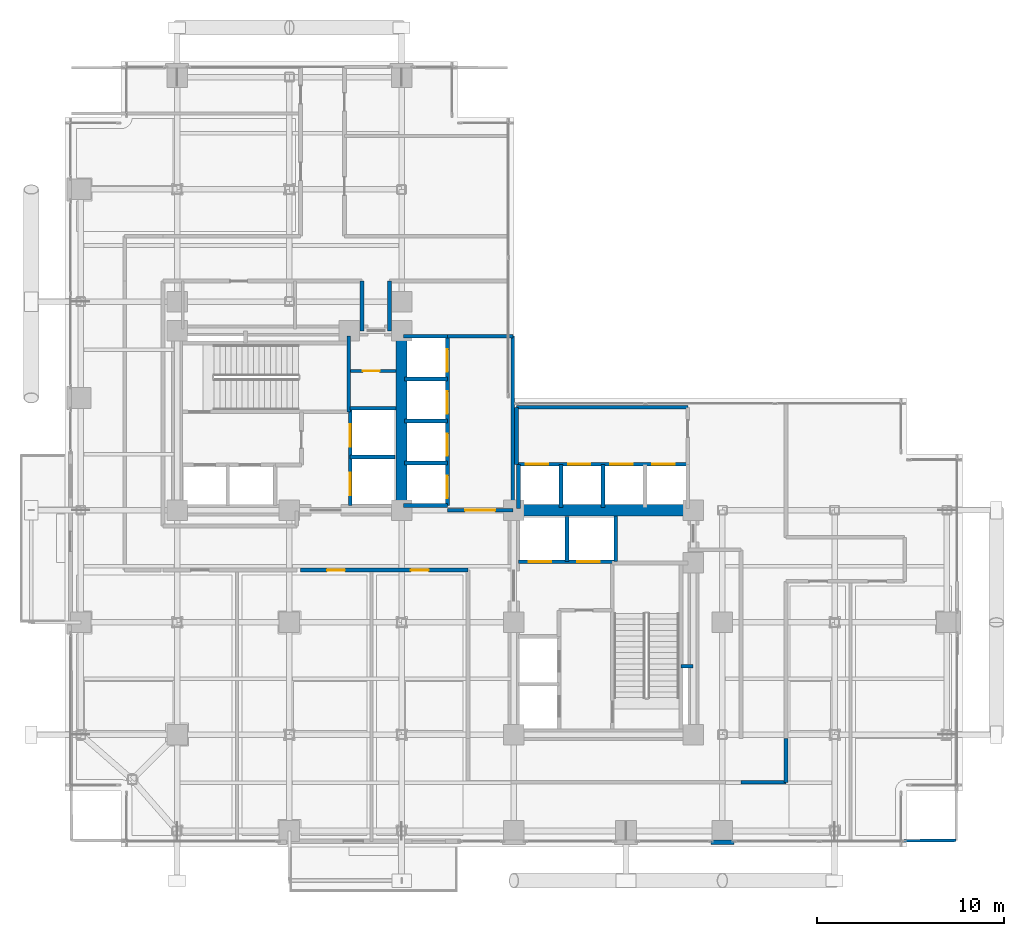
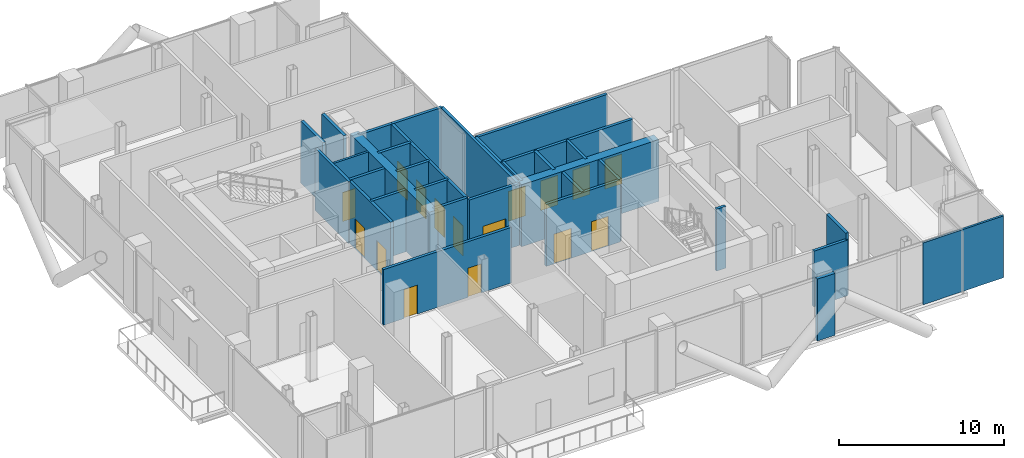
# One storey, part 19 of 25: 33 walls, 16 doors, 16 openings.
"""IFC4 building model written with IfcOpenShell, lengths in metres."""

from ifc_helpers import new_model, si_unit, direction, frame, frame_2d, origin, place, context, subcontext, project, spatial, rectangle, extrude, material, layer, layer_set, type_object, element, fill, save


model = new_model("IFC4")

# Units and contexts
model_context = context("Model", 3, precision=1e-05, world=origin(), true_north=direction((0.0, 1.0)))
body_context = subcontext(model_context, "Body", "Model", "MODEL_VIEW")
ifc_project = project(units=[si_unit("LENGTHUNIT", "METRE"), si_unit("AREAUNIT", "SQUARE_METRE"), si_unit("VOLUMEUNIT", "CUBIC_METRE"), si_unit("PLANEANGLEUNIT", "RADIAN"), si_unit("MASSUNIT", "GRAM", prefix="KILO"), si_unit("THERMODYNAMICTEMPERATUREUNIT", "KELVIN"), si_unit("POWERUNIT", "WATT")], contexts=[model_context])

# Site, building, storey
site_placement = place(None, origin())
site = spatial("IfcSite", under=ifc_project, at=site_placement, CompositionType="ELEMENT")
building_placement = place(site_placement, origin())
building = spatial("IfcBuilding", under=site, at=building_placement, Name="Svarakhadi Broadcast Tower", CompositionType="ELEMENT")
storey_placement = place(building_placement, frame((0.0, 0.0, 110.85009765625)))
storey = spatial("IfcBuildingStorey", under=building, at=storey_placement, Name="L26", CompositionType="ELEMENT", Elevation=110.85009765625)

# Walls
ifc_material_1 = material(Name="Double-Stud Acoustic Studio Partition STC-62", Category="gypsum")
ifc_layer_1 = layer(ifc_material_1, 0.199951171875)
ifc_layer_set_1 = layer_set([ifc_layer_1], Name="Double-Stud Acoustic Studio Partition STC-62")
wall_type_1 = type_object("IfcWallType", Name="Wall_Acoust_200", PredefinedType="PARTITIONING", material=ifc_layer_set_1)
wall_1_placement = place(storey_placement, frame((38.550048828125, 5.800048828125, 0.0), z_axis=(0.0, 0.0, 1.0), x_axis=(0.0, -1.0, 0.0)))
element("IfcWall", 1, at=wall_1_placement, inside=storey, type_object=wall_type_1, Name="L26 Broadcast Corridor Wall", PredefinedType="PARTITIONING", context=body_context, shape_type="SweptSolid", body=[
    extrude(rectangle(XDim=2.35009765625, YDim=0.199951171875, at=frame_2d((1.175048828125, 0.0))), origin(), (0.0, 0.0, 1.0), 4.574951171875),
])
wall_2_placement = place(storey_placement, frame((38.550048828125, 3.449951171875, 0.0), z_axis=(0.0, 0.0, 1.0), x_axis=(-1.0, 0.0, 0.0)))
element("IfcWall", 2, at=wall_2_placement, inside=storey, type_object=wall_type_1, Name="L26 Broadcast Corridor Wall", PredefinedType="PARTITIONING", context=body_context, shape_type="SweptSolid", body=[
    extrude(rectangle(XDim=2.400146484375, YDim=0.199951171875, at=frame_2d((1.2001953125, 0.0))), origin(), (0.0, 0.0, 1.0), 4.116943359375),
])

# Wall, openings, doors
wall_3_placement = place(storey_placement, frame((21.550048828125, 14.800048828125, 0.0), z_axis=(0.0, 0.0, 1.0), x_axis=(-1.0, 0.0, 0.0)))
wall_3 = element("IfcWall", 3, at=wall_3_placement, inside=storey, type_object=wall_type_1, Name="L26 Broadcast Corridor Wall", PredefinedType="PARTITIONING", context=body_context, shape_type="SweptSolid", body=[
    extrude(rectangle(XDim=8.949951171875, YDim=0.199951171875, at=frame_2d((4.47509765625, 0.0))), origin(), (0.0, 0.0, 1.0), 4.116943359375),
])
opening_1_placement = place(wall_3_placement, frame((6.574951171875, 0.0, 0.0)))
opening_1 = element("IfcOpeningElement", 4, at=opening_1_placement, cuts=wall_3, Name="Opening D-06", PredefinedType="OPENING", context=body_context, shape_type="SweptSolid", body=[
    extrude(rectangle(XDim=0.949951171875, YDim=2.14990234375, at=frame_2d((0.47509765625, 1.074951171875))), frame((0.0, 0.10986328125, 0.0), z_axis=(0.0, -1.0, 0.0), x_axis=(1.0, 0.0, 0.0)), (0.0, 0.0, 1.0), 0.219970703125),
])
opening_2_placement = place(wall_3_placement, frame((2.10009765625, 0.0, 0.0)))
opening_2 = element("IfcOpeningElement", 5, at=opening_2_placement, cuts=wall_3, Name="Opening D-07", PredefinedType="OPENING", context=body_context, shape_type="SweptSolid", body=[
    extrude(rectangle(XDim=0.949951171875, YDim=2.14990234375, at=frame_2d((0.47509765625, 1.074951171875))), frame((0.0, 0.10986328125, 0.0), z_axis=(0.0, -1.0, 0.0), x_axis=(1.0, 0.0, 0.0)), (0.0, 0.0, 1.0), 0.219970703125),
])
ifc_material_2 = material(Name="Solid-Core Teak Veneer Acoustic Timber Leaf", Category="wood")
door_type_1 = type_object("IfcDoorType", Name="Door_Office_D06", OperationType="SINGLE_SWING_LEFT", PredefinedType="DOOR", material=ifc_material_2)
door_1_placement = place(opening_1_placement, origin())
door_1 = element("IfcDoor", 6, at=door_1_placement, inside=storey, type_object=door_type_1, Name="L26 L26 Sky-Bridge Espresso and Dining Bar Door", OperationType="SINGLE_SWING_LEFT", OverallHeight=2.14990234375, OverallWidth=0.949951171875, PredefinedType="DOOR", context=body_context, shape_type="SweptSolid", body=[
    extrude(rectangle(XDim=0.949951171875, YDim=2.14990234375, at=frame_2d((0.47509765625, 1.074951171875))), frame((0.0, 0.02490234375, 0.0), z_axis=(0.0, -1.0, 0.0), x_axis=(1.0, 0.0, 0.0)), (0.0, 0.0, 1.0), 0.050048828125),
])
fill(opening_1, door_1)
door_type_2 = type_object("IfcDoorType", Name="Door_Office_D07", OperationType="SINGLE_SWING_RIGHT", PredefinedType="DOOR", material=ifc_material_2)
door_2_placement = place(opening_2_placement, origin())
door_2 = element("IfcDoor", 7, at=door_2_placement, inside=storey, type_object=door_type_2, Name="L26 L26 Transfer Security Office Door", OperationType="SINGLE_SWING_RIGHT", OverallHeight=2.14990234375, OverallWidth=0.949951171875, PredefinedType="DOOR", context=body_context, shape_type="SweptSolid", body=[
    extrude(rectangle(XDim=0.949951171875, YDim=2.14990234375, at=frame_2d((0.47509765625, 1.074951171875))), frame((0.0, 0.02490234375, 0.0), z_axis=(0.0, -1.0, 0.0), x_axis=(1.0, 0.0, 0.0)), (0.0, 0.0, 1.0), 0.050048828125),
])
fill(opening_2, door_2)

# Walls
for number, where, z_axis, x_axis, name in (
    (8, (17.35009765625, 30.25, 0.0), (0.0, 0.0, 1.0), (0.0, -1.0, 0.0), "L26 Broadcast Corridor Wall"),
    (9, (15.8798828125, 27.580078125, 0.0), (0.0, 0.0, 1.0), (0.0, 1.0, 0.0), "L26 Broadcast Corridor Wall"),
):
    element("IfcWall", number, at=place(storey_placement, frame(where, z_axis=z_axis, x_axis=x_axis)), inside=storey, type_object=wall_type_1, Name=name, PredefinedType="PARTITIONING", context=body_context, shape_type="SweptSolid", body=[
        extrude(rectangle(XDim=2.669921875, YDim=0.199951171875, at=frame_2d((1.3349609375, 0.0))), origin(), (0.0, 0.0, 1.0), 4.574951171875),
    ])
ifc_material_3 = material(Name="Concrete C40/50 (IS 456 M50)", Category="concrete")
ifc_layer_2 = layer(ifc_material_3, 0.239990234375)
ifc_layer_set_2 = layer_set([ifc_layer_2], Name="Concrete C40/50 (IS 456 M50)")
wall_type_2 = type_object("IfcWallType", Name="Wall_Ext_240", PredefinedType="SOLIDWALL", material=ifc_layer_set_2)
wall_4_placement = place(storey_placement, frame((35.764892578125, 0.239990234375, 0.0), z_axis=(0.0, 0.0, 1.0), x_axis=(-1.0, 0.0, 0.0)))
element("IfcWall", 10, at=wall_4_placement, inside=storey, type_object=wall_type_2, Name="L26 Perimeter Bronze Spandrel Closure Wall 07", PredefinedType="SOLIDWALL", context=body_context, shape_type="SweptSolid", body=[
    extrude(rectangle(XDim=1.22998046875, YDim=0.239990234375, at=frame_2d((0.614990234375, 0.0))), origin(), (0.0, 0.0, 1.0), 4.574951171875),
])
ifc_layer_3 = layer(ifc_material_3, 0.199951171875)
ifc_layer_set_3 = layer_set([ifc_layer_3], Name="Concrete C40/50 (IS 456 M50)")
wall_type_3 = type_object("IfcWallType", Name="Wall_Fire_200", PredefinedType="SOLIDWALL", material=ifc_layer_set_3)
wall_5_placement = place(storey_placement, frame((32.93994140625, 9.659912109375, 0.0), z_axis=(0.0, 0.0, 1.0), x_axis=(1.0, 0.0, 0.0)))
element("IfcWall", 11, at=wall_5_placement, inside=storey, type_object=wall_type_3, Name="L26 HV Busduct Riser Shaft North Wall", PredefinedType="SOLIDWALL", context=body_context, shape_type="SweptSolid", body=[
    extrude(rectangle(XDim=0.64013671875, YDim=0.199951171875, at=frame_2d((0.320068359375, 0.0))), origin(), (0.0, 0.0, 1.0), 4.574951171875),
])

# Wall, opening, door
ifc_material_4 = material(Name="Autoclaved Aerated Concrete Blockwork 150 mm", Category="masonry")
ifc_layer_4 = layer(ifc_material_4, 0.14990234375)
ifc_layer_set_4 = layer_set([ifc_layer_4], Name="Autoclaved Aerated Concrete Blockwork 150 mm")
wall_type_4 = type_object("IfcWallType", Name="Wall_Part_150", PredefinedType="PARTITIONING", material=ifc_layer_set_4)
wall_6_placement = place(storey_placement, frame((15.280029296875, 25.43994140625, 0.0), z_axis=(0.0, 0.0, 1.0), x_axis=(1.0, 0.0, 0.0)))
wall_6 = element("IfcWall", 12, at=wall_6_placement, inside=storey, type_object=wall_type_4, Name="L26 West Core Service Split Wall", PredefinedType="PARTITIONING", context=body_context, shape_type="SweptSolid", body=[
    extrude(rectangle(XDim=2.419921875, YDim=0.14990234375, at=frame_2d((1.2099609375, 0.0))), origin(), (0.0, 0.0, 1.0), 4.574951171875),
])
opening_3_placement = place(wall_6_placement, frame((0.64990234375, 0.0, 0.0)))
opening_3 = element("IfcOpeningElement", 13, at=opening_3_placement, cuts=wall_6, Name="Opening D-04", PredefinedType="OPENING", context=body_context, shape_type="SweptSolid", body=[
    extrude(rectangle(XDim=0.89990234375, YDim=2.14990234375, at=frame_2d((0.449951171875, 1.074951171875))), frame((0.0, 0.0849609375, 0.0), z_axis=(0.0, -1.0, 0.0), x_axis=(1.0, 0.0, 0.0)), (0.0, 0.0, 1.0), 0.169921875),
])
ifc_material_5 = material(Name="Galvanised Powder-Coated Fire-Rated Steel Leaf", Category="steel")
door_type_3 = type_object("IfcDoorType", Name="Door_Fire_D04", OperationType="SINGLE_SWING_RIGHT", PredefinedType="DOOR", material=ifc_material_5)
door_3_placement = place(opening_3_placement, origin())
door_3 = element("IfcDoor", 14, at=door_3_placement, inside=storey, type_object=door_type_3, Name="L26 West Core Inner Store Door", OperationType="SINGLE_SWING_RIGHT", OverallHeight=2.14990234375, OverallWidth=0.89990234375, PredefinedType="DOOR", context=body_context, shape_type="SweptSolid", body=[
    extrude(rectangle(XDim=0.89990234375, YDim=2.14990234375, at=frame_2d((0.449951171875, 1.074951171875))), frame((0.0, 0.02490234375, 0.0), z_axis=(0.0, -1.0, 0.0), x_axis=(1.0, 0.0, 0.0)), (0.0, 0.0, 1.0), 0.050048828125),
])
fill(opening_3, door_3)

# Walls
wall_7_placement = place(storey_placement, frame((42.0, 0.300048828125, 0.0), z_axis=(0.0, 0.0, 1.0), x_axis=(0.999960767102, 0.00885800524, 0.0)))
element("IfcWall", 15, at=wall_7_placement, inside=storey, type_object=wall_type_4, Name="L26 L26 Catering Preparation Kitchen Wall", PredefinedType="PARTITIONING", context=body_context, shape_type="SweptSolid", body=[
    extrude(rectangle(XDim=5.650146484375, YDim=0.14990234375, at=frame_2d((2.8251953125, 0.0))), origin(), (0.0, 0.0, 1.0), 4.574951171875),
])
ifc_material_6 = material(Name="Concrete C50/60 (IS 456 M60)", Category="concrete")
ifc_layer_5 = layer(ifc_material_6, 0.199951171875)
ifc_layer_set_5 = layer_set([ifc_layer_5], Name="Concrete C50/60 (IS 456 M60)")
wall_type_5 = type_object("IfcWallType", Name="Wall_Shear_200", PredefinedType="SHEAR", material=ifc_layer_set_5)
wall_8_placement = place(storey_placement, frame((15.179931640625, 23.260009765625, 0.0), z_axis=(0.0, 0.0, 1.0), x_axis=(0.0, 1.0, 0.0)))
element("IfcWall", 16, at=wall_8_placement, inside=storey, type_object=wall_type_5, Name="L26 Stair ST-01 East RC Shaft Wall", PredefinedType="SHEAR", context=body_context, shape_type="SweptSolid", body=[
    extrude(rectangle(XDim=4.0400390625, YDim=0.199951171875, at=frame_2d((2.02001953125, 0.0))), origin(), (0.0, 0.0, 1.0), 4.574951171875),
])

# Wall, openings, doors
wall_9_placement = place(storey_placement, frame((15.25, 18.25, 0.0), z_axis=(0.0, 0.0, 1.0), x_axis=(0.0, 1.0, 0.0)))
wall_9 = element("IfcWall", 17, at=wall_9_placement, inside=storey, type_object=wall_type_5, Name="L26 High-Rise Lift LF-13/14 West Shaft Wall", PredefinedType="SHEAR", context=body_context, shape_type="SweptSolid", body=[
    extrude(rectangle(XDim=5.199951171875, YDim=0.199951171875, at=frame_2d((2.60009765625, 0.0))), origin(), (0.0, 0.0, 1.0), 4.574951171875),
])
opening_4_placement = place(wall_9_placement, frame((0.550048828125, 0.0, 0.0)))
opening_4 = element("IfcOpeningElement", 18, at=opening_4_placement, cuts=wall_9, Name="Opening LD-02", PredefinedType="OPENING", context=body_context, shape_type="SweptSolid", body=[
    extrude(rectangle(XDim=1.199951171875, YDim=2.199951171875, at=frame_2d((0.60009765625, 1.10009765625))), frame((0.0, 0.10986328125, 0.0), z_axis=(0.0, -1.0, 0.0), x_axis=(1.0, 0.0, 0.0)), (0.0, 0.0, 1.0), 0.219970703125),
])
opening_5_placement = place(wall_9_placement, frame((3.14990234375, 0.0, 0.0)))
opening_5 = element("IfcOpeningElement", 19, at=opening_5_placement, cuts=wall_9, Name="Opening LD-02", PredefinedType="OPENING", context=body_context, shape_type="SweptSolid", body=[
    extrude(rectangle(XDim=1.199951171875, YDim=2.199951171875, at=frame_2d((0.60009765625, 1.10009765625))), frame((0.0, 0.10986328125, 0.0), z_axis=(0.0, -1.0, 0.0), x_axis=(1.0, 0.0, 0.0)), (0.0, 0.0, 1.0), 0.219970703125),
])
door_type_4 = type_object("IfcDoorType", Name="Door_Lift_LD02", OperationType="SLIDING_TO_RIGHT", PredefinedType="DOOR", material=ifc_material_5)
door_4_placement = place(opening_4_placement, origin())
door_4 = element("IfcDoor", 20, at=door_4_placement, inside=storey, type_object=door_type_4, Name="L26 High-Rise Lift LF-13 Landing Door", OperationType="SLIDING_TO_RIGHT", OverallHeight=2.199951171875, OverallWidth=1.199951171875, PredefinedType="DOOR", context=body_context, shape_type="SweptSolid", body=[
    extrude(rectangle(XDim=1.199951171875, YDim=2.199951171875, at=frame_2d((0.60009765625, 1.10009765625))), frame((0.0, 0.02490234375, 0.0), z_axis=(0.0, -1.0, 0.0), x_axis=(1.0, 0.0, 0.0)), (0.0, 0.0, 1.0), 0.050048828125),
])
fill(opening_4, door_4)
door_5_placement = place(opening_5_placement, origin())
door_5 = element("IfcDoor", 21, at=door_5_placement, inside=storey, type_object=door_type_4, Name="L26 High-Rise Lift LF-14 Landing Door", OperationType="SLIDING_TO_RIGHT", OverallHeight=2.199951171875, OverallWidth=1.199951171875, PredefinedType="DOOR", context=body_context, shape_type="SweptSolid", body=[
    extrude(rectangle(XDim=1.199951171875, YDim=2.199951171875, at=frame_2d((0.60009765625, 1.10009765625))), frame((0.0, 0.02490234375, 0.0), z_axis=(0.0, -1.0, 0.0), x_axis=(1.0, 0.0, 0.0)), (0.0, 0.0, 1.0), 0.050048828125),
])
fill(opening_5, door_5)

# Walls
wall_10_placement = place(storey_placement, frame((15.25, 20.85009765625, 0.0), z_axis=(0.0, 0.0, 1.0), x_axis=(1.0, 0.0, 0.0)))
element("IfcWall", 22, at=wall_10_placement, inside=storey, type_object=wall_type_5, Name="L26 High-Rise Lift LF-13/14 Divider", PredefinedType="SHEAR", context=body_context, shape_type="SweptSolid", body=[
    extrude(rectangle(XDim=2.39990234375, YDim=0.199951171875, at=frame_2d((1.199951171875, 0.0))), origin(), (0.0, 0.0, 1.0), 4.574951171875),
])
wall_11_placement = place(storey_placement, frame((15.25, 23.449951171875, 0.0), z_axis=(0.0, 0.0, 1.0), x_axis=(1.0, 0.0, 0.0)))
element("IfcWall", 23, at=wall_11_placement, inside=storey, type_object=wall_type_5, Name="L26 High-Rise Lift LF-13/14 North Wall", PredefinedType="SHEAR", context=body_context, shape_type="SweptSolid", body=[
    extrude(rectangle(XDim=2.449951171875, YDim=0.199951171875, at=frame_2d((1.22509765625, 0.0))), origin(), (0.0, 0.0, 1.0), 4.574951171875),
])

# Wall, openings, doors
wall_12_placement = place(storey_placement, frame((24.25, 15.25, 0.0), z_axis=(0.0, 0.0, 1.0), x_axis=(1.0, 0.0, 0.0)))
wall_12 = element("IfcWall", 24, at=wall_12_placement, inside=storey, type_object=wall_type_5, Name="L26 High-Rise Lift LF-15/16 South Shaft Wall", PredefinedType="SHEAR", context=body_context, shape_type="SweptSolid", body=[
    extrude(rectangle(XDim=5.199951171875, YDim=0.199951171875, at=frame_2d((2.60009765625, 0.0))), origin(), (0.0, 0.0, 1.0), 4.574951171875),
])
opening_6_placement = place(wall_12_placement, frame((0.550048828125, 0.0, 0.0)))
opening_6 = element("IfcOpeningElement", 25, at=opening_6_placement, cuts=wall_12, Name="Opening LD-02", PredefinedType="OPENING", context=body_context, shape_type="SweptSolid", body=[
    extrude(rectangle(XDim=1.199951171875, YDim=2.199951171875, at=frame_2d((0.60009765625, 1.10009765625))), frame((0.0, 0.10986328125, 0.0), z_axis=(0.0, -1.0, 0.0), x_axis=(1.0, 0.0, 0.0)), (0.0, 0.0, 1.0), 0.219970703125),
])
opening_7_placement = place(wall_12_placement, frame((3.14990234375, 0.0, 0.0)))
opening_7 = element("IfcOpeningElement", 26, at=opening_7_placement, cuts=wall_12, Name="Opening LD-02", PredefinedType="OPENING", context=body_context, shape_type="SweptSolid", body=[
    extrude(rectangle(XDim=1.199951171875, YDim=2.199951171875, at=frame_2d((0.60009765625, 1.10009765625))), frame((0.0, 0.10986328125, 0.0), z_axis=(0.0, -1.0, 0.0), x_axis=(1.0, 0.0, 0.0)), (0.0, 0.0, 1.0), 0.219970703125),
])
door_6_placement = place(opening_6_placement, origin())
door_6 = element("IfcDoor", 27, at=door_6_placement, inside=storey, type_object=door_type_4, Name="L26 High-Rise Lift LF-15 Landing Door", OperationType="SLIDING_TO_RIGHT", OverallHeight=2.199951171875, OverallWidth=1.199951171875, PredefinedType="DOOR", context=body_context, shape_type="SweptSolid", body=[
    extrude(rectangle(XDim=1.199951171875, YDim=2.199951171875, at=frame_2d((0.60009765625, 1.10009765625))), frame((0.0, 0.02490234375, 0.0), z_axis=(0.0, -1.0, 0.0), x_axis=(1.0, 0.0, 0.0)), (0.0, 0.0, 1.0), 0.050048828125),
])
fill(opening_6, door_6)
door_7_placement = place(opening_7_placement, origin())
door_7 = element("IfcDoor", 28, at=door_7_placement, inside=storey, type_object=door_type_4, Name="L26 High-Rise Lift LF-16 Landing Door", OperationType="SLIDING_TO_RIGHT", OverallHeight=2.199951171875, OverallWidth=1.199951171875, PredefinedType="DOOR", context=body_context, shape_type="SweptSolid", body=[
    extrude(rectangle(XDim=1.199951171875, YDim=2.199951171875, at=frame_2d((0.60009765625, 1.10009765625))), frame((0.0, 0.02490234375, 0.0), z_axis=(0.0, -1.0, 0.0), x_axis=(1.0, 0.0, 0.0)), (0.0, 0.0, 1.0), 0.050048828125),
])
fill(opening_7, door_7)

# Walls
wall_13_placement = place(storey_placement, frame((26.85009765625, 15.25, 0.0), z_axis=(0.0, 0.0, 1.0), x_axis=(0.0, 1.0, 0.0)))
element("IfcWall", 29, at=wall_13_placement, inside=storey, type_object=wall_type_5, Name="L26 High-Rise Lift LF-15/16 Divider", PredefinedType="SHEAR", context=body_context, shape_type="SweptSolid", body=[
    extrude(rectangle(XDim=2.39990234375, YDim=0.199951171875, at=frame_2d((1.199951171875, 0.0))), origin(), (0.0, 0.0, 1.0), 4.574951171875),
])
wall_14_placement = place(storey_placement, frame((29.449951171875, 15.25, 0.0), z_axis=(0.0, 0.0, 1.0), x_axis=(0.0, 1.0, 0.0)))
element("IfcWall", 30, at=wall_14_placement, inside=storey, type_object=wall_type_5, Name="L26 High-Rise Lift LF-15/16 East Wall", PredefinedType="SHEAR", context=body_context, shape_type="SweptSolid", body=[
    extrude(rectangle(XDim=2.449951171875, YDim=0.199951171875, at=frame_2d((1.22509765625, 0.0))), origin(), (0.0, 0.0, 1.0), 4.574951171875),
])
for number, where, z_axis, x_axis, name in (
    (31, (18.10009765625, 27.300048828125, 0.0), (0.0, 0.0, 1.0), (1.0, 0.0, 0.0), "L26 Bank A North Shaft Wall"),
    (32, (18.10009765625, 18.25, 0.0), (0.0, 0.0, 1.0), (1.0, 0.0, 0.0), "L26 Bank A South Shaft Wall"),
):
    element("IfcWall", number, at=place(storey_placement, frame(where, z_axis=z_axis, x_axis=x_axis)), inside=storey, type_object=wall_type_5, Name=name, PredefinedType="SHEAR", context=body_context, shape_type="SweptSolid", body=[
        extrude(rectangle(XDim=2.349853515625, YDim=0.199951171875, at=frame_2d((1.1748046875, 0.0))), origin(), (0.0, 0.0, 1.0), 4.574951171875),
    ])

# Wall, openings, doors
wall_15_placement = place(storey_placement, frame((20.449951171875, 18.25, 0.0), z_axis=(0.0, 0.0, 1.0), x_axis=(0.0, 1.0, 0.0)))
wall_15 = element("IfcWall", 33, at=wall_15_placement, inside=storey, type_object=wall_type_5, Name="L26 Bank A East Landing Wall", PredefinedType="SHEAR", context=body_context, shape_type="SweptSolid", body=[
    extrude(rectangle(XDim=9.050048828125, YDim=0.199951171875, at=frame_2d((4.52490234375, 0.0))), origin(), (0.0, 0.0, 1.0), 4.574951171875),
])
opening_8_placement = place(wall_15_placement, frame((0.39990234375, 0.0, 0.0)))
opening_8 = element("IfcOpeningElement", 34, at=opening_8_placement, cuts=wall_15, Name="Opening LD-02", PredefinedType="OPENING", context=body_context, shape_type="SweptSolid", body=[
    extrude(rectangle(XDim=1.199951171875, YDim=2.199951171875, at=frame_2d((0.60009765625, 1.10009765625))), frame((0.0, 0.10986328125, 0.0), z_axis=(0.0, -1.0, 0.0), x_axis=(1.0, 0.0, 0.0)), (0.0, 0.0, 1.0), 0.219970703125),
])
opening_9_placement = place(wall_15_placement, frame((2.64990234375, 0.0, 0.0)))
opening_9 = element("IfcOpeningElement", 35, at=opening_9_placement, cuts=wall_15, Name="Opening LD-02", PredefinedType="OPENING", context=body_context, shape_type="SweptSolid", body=[
    extrude(rectangle(XDim=1.199951171875, YDim=2.199951171875, at=frame_2d((0.60009765625, 1.10009765625))), frame((0.0, 0.10986328125, 0.0), z_axis=(0.0, -1.0, 0.0), x_axis=(1.0, 0.0, 0.0)), (0.0, 0.0, 1.0), 0.219970703125),
])
opening_10_placement = place(wall_15_placement, frame((4.89990234375, 0.0, 0.0)))
opening_10 = element("IfcOpeningElement", 36, at=opening_10_placement, cuts=wall_15, Name="Opening LD-02", PredefinedType="OPENING", context=body_context, shape_type="SweptSolid", body=[
    extrude(rectangle(XDim=1.199951171875, YDim=2.199951171875, at=frame_2d((0.60009765625, 1.10009765625))), frame((0.0, 0.10986328125, 0.0), z_axis=(0.0, -1.0, 0.0), x_axis=(1.0, 0.0, 0.0)), (0.0, 0.0, 1.0), 0.219970703125),
])
opening_11_placement = place(wall_15_placement, frame((7.14990234375, 0.0, 0.0)))
opening_11 = element("IfcOpeningElement", 37, at=opening_11_placement, cuts=wall_15, Name="Opening LD-02", PredefinedType="OPENING", context=body_context, shape_type="SweptSolid", body=[
    extrude(rectangle(XDim=1.199951171875, YDim=2.199951171875, at=frame_2d((0.60009765625, 1.10009765625))), frame((0.0, 0.10986328125, 0.0), z_axis=(0.0, -1.0, 0.0), x_axis=(1.0, 0.0, 0.0)), (0.0, 0.0, 1.0), 0.219970703125),
])
door_8_placement = place(opening_8_placement, origin())
door_8 = element("IfcDoor", 38, at=door_8_placement, inside=storey, type_object=door_type_4, Name="L26 Low-Rise Lift LF-05 Landing Door", OperationType="SLIDING_TO_RIGHT", OverallHeight=2.199951171875, OverallWidth=1.199951171875, PredefinedType="DOOR", context=body_context, shape_type="SweptSolid", body=[
    extrude(rectangle(XDim=1.199951171875, YDim=2.199951171875, at=frame_2d((0.60009765625, 1.10009765625))), frame((0.0, 0.02490234375, 0.0), z_axis=(0.0, -1.0, 0.0), x_axis=(1.0, 0.0, 0.0)), (0.0, 0.0, 1.0), 0.050048828125),
])
fill(opening_8, door_8)
door_9_placement = place(opening_9_placement, origin())
door_9 = element("IfcDoor", 39, at=door_9_placement, inside=storey, type_object=door_type_4, Name="L26 Low-Rise Lift LF-06 Landing Door", OperationType="SLIDING_TO_RIGHT", OverallHeight=2.199951171875, OverallWidth=1.199951171875, PredefinedType="DOOR", context=body_context, shape_type="SweptSolid", body=[
    extrude(rectangle(XDim=1.199951171875, YDim=2.199951171875, at=frame_2d((0.60009765625, 1.10009765625))), frame((0.0, 0.02490234375, 0.0), z_axis=(0.0, -1.0, 0.0), x_axis=(1.0, 0.0, 0.0)), (0.0, 0.0, 1.0), 0.050048828125),
])
fill(opening_9, door_9)
door_10_placement = place(opening_10_placement, origin())
door_10 = element("IfcDoor", 40, at=door_10_placement, inside=storey, type_object=door_type_4, Name="L26 Low-Rise Lift LF-07 Landing Door", OperationType="SLIDING_TO_RIGHT", OverallHeight=2.199951171875, OverallWidth=1.199951171875, PredefinedType="DOOR", context=body_context, shape_type="SweptSolid", body=[
    extrude(rectangle(XDim=1.199951171875, YDim=2.199951171875, at=frame_2d((0.60009765625, 1.10009765625))), frame((0.0, 0.02490234375, 0.0), z_axis=(0.0, -1.0, 0.0), x_axis=(1.0, 0.0, 0.0)), (0.0, 0.0, 1.0), 0.050048828125),
])
fill(opening_10, door_10)
door_11_placement = place(opening_11_placement, origin())
door_11 = element("IfcDoor", 41, at=door_11_placement, inside=storey, type_object=door_type_4, Name="L26 Low-Rise Lift LF-08 Landing Door", OperationType="SLIDING_TO_RIGHT", OverallHeight=2.199951171875, OverallWidth=1.199951171875, PredefinedType="DOOR", context=body_context, shape_type="SweptSolid", body=[
    extrude(rectangle(XDim=1.199951171875, YDim=2.199951171875, at=frame_2d((0.60009765625, 1.10009765625))), frame((0.0, 0.02490234375, 0.0), z_axis=(0.0, -1.0, 0.0), x_axis=(1.0, 0.0, 0.0)), (0.0, 0.0, 1.0), 0.050048828125),
])
fill(opening_11, door_11)

# Walls
for number, where, z_axis, x_axis, name in (
    (42, (18.14990234375, 20.52001953125, 0.0), (0.0, 0.0, 1.0), (1.0, 0.0, 0.0), "L26 Bank A Divider"),
    (43, (18.14990234375, 22.77001953125, 0.0), (0.0, 0.0, 1.0), (1.0, 0.0, 0.0), "L26 Bank A Divider"),
    (44, (18.14990234375, 25.02001953125, 0.0), (0.0, 0.0, 1.0), (1.0, 0.0, 0.0), "L26 Bank A Divider"),
):
    element("IfcWall", number, at=place(storey_placement, frame(where, z_axis=z_axis, x_axis=x_axis)), inside=storey, type_object=wall_type_5, Name=name, PredefinedType="SHEAR", context=body_context, shape_type="SweptSolid", body=[
        extrude(rectangle(XDim=2.300048828125, YDim=0.199951171875, at=frame_2d((1.14990234375, 0.0))), origin(), (0.0, 0.0, 1.0), 4.574951171875),
    ])

# Wall, opening, door
wall_16_placement = place(storey_placement, frame((20.449951171875, 18.0, 0.0), z_axis=(0.0, 0.0, 1.0), x_axis=(1.0, 0.0, 0.0)))
wall_16 = element("IfcWall", 45, at=wall_16_placement, inside=storey, type_object=wall_type_5, Name="L26 Bank A Lift Hall South Wall", PredefinedType="SHEAR", context=body_context, shape_type="SweptSolid", body=[
    extrude(rectangle(XDim=3.5, YDim=0.199951171875, at=frame_2d((1.75, 0.0))), origin(), (0.0, 0.0, 1.0), 4.574951171875),
])
opening_12_placement = place(wall_16_placement, frame((0.949951171875, 0.0, 0.0)))
opening_12 = element("IfcOpeningElement", 46, at=opening_12_placement, cuts=wall_16, Name="Opening D-05", PredefinedType="OPENING", context=body_context, shape_type="SweptSolid", body=[
    extrude(rectangle(XDim=1.60009765625, YDim=2.300048828125, at=frame_2d((0.800048828125, 1.14990234375))), frame((0.0, 0.10986328125, 0.0), z_axis=(0.0, -1.0, 0.0), x_axis=(1.0, 0.0, 0.0)), (0.0, 0.0, 1.0), 0.219970703125),
])
ifc_material_7 = material(Name="Anodised Bronze Aluminium AA 6063-T6", Category="aluminium")
door_type_5 = type_object("IfcDoorType", Name="Door_Lobby_D05", OperationType="DOUBLE_DOOR_SLIDING", PredefinedType="DOOR", material=ifc_material_7)
door_12_placement = place(opening_12_placement, origin())
door_12 = element("IfcDoor", 47, at=door_12_placement, inside=storey, type_object=door_type_5, Name="L26 Low-Rise Lift Hall Corridor Door", OperationType="DOUBLE_DOOR_SLIDING", OverallHeight=2.300048828125, OverallWidth=1.60009765625, PredefinedType="DOOR", context=body_context, shape_type="SweptSolid", body=[
    extrude(rectangle(XDim=1.60009765625, YDim=2.300048828125, at=frame_2d((0.800048828125, 1.14990234375))), frame((0.0, 0.02490234375, 0.0), z_axis=(0.0, -1.0, 0.0), x_axis=(1.0, 0.0, 0.0)), (0.0, 0.0, 1.0), 0.050048828125),
])
fill(opening_12, door_12)

# Walls
wall_17_placement = place(storey_placement, frame((20.449951171875, 27.300048828125, 0.0), z_axis=(0.0, 0.0, 1.0), x_axis=(1.0, 0.0, 0.0)))
element("IfcWall", 48, at=wall_17_placement, inside=storey, type_object=wall_type_5, Name="L26 Bank A Lift Hall North Wall", PredefinedType="SHEAR", context=body_context, shape_type="SweptSolid", body=[
    extrude(rectangle(XDim=3.5, YDim=0.199951171875, at=frame_2d((1.75, 0.0))), origin(), (0.0, 0.0, 1.0), 4.574951171875),
])
wall_18_placement = place(storey_placement, frame((23.949951171875, 18.0, 0.0), z_axis=(0.0, 0.0, 1.0), x_axis=(0.0, 1.0, 0.0)))
element("IfcWall", 49, at=wall_18_placement, inside=storey, type_object=wall_type_5, Name="L26 Bank A Lift Hall East Wall", PredefinedType="SHEAR", context=body_context, shape_type="SweptSolid", body=[
    extrude(rectangle(XDim=9.300048828125, YDim=0.199951171875, at=frame_2d((4.64990234375, 0.0))), origin(), (0.0, 0.0, 1.0), 4.574951171875),
])
wall_19_placement = place(storey_placement, frame((24.25, 18.10009765625, 0.0), z_axis=(0.0, 0.0, 1.0), x_axis=(0.0, 1.0, 0.0)))
element("IfcWall", 50, at=wall_19_placement, inside=storey, type_object=wall_type_5, Name="L26 Bank B West Shaft Wall", PredefinedType="SHEAR", context=body_context, shape_type="SweptSolid", body=[
    extrude(rectangle(XDim=2.349853515625, YDim=0.199951171875, at=frame_2d((1.1748046875, 0.0))), origin(), (0.0, 0.0, 1.0), 4.574951171875),
])

# Wall, openings, doors
wall_20_placement = place(storey_placement, frame((24.25, 20.449951171875, 0.0), z_axis=(0.0, 0.0, 1.0), x_axis=(1.0, 0.0, 0.0)))
wall_20 = element("IfcWall", 51, at=wall_20_placement, inside=storey, type_object=wall_type_5, Name="L26 Bank B North Landing Wall", PredefinedType="SHEAR", context=body_context, shape_type="SweptSolid", body=[
    extrude(rectangle(XDim=9.050048828125, YDim=0.199951171875, at=frame_2d((4.52490234375, 0.0))), origin(), (0.0, 0.0, 1.0), 4.574951171875),
])
opening_13_placement = place(wall_20_placement, frame((0.39990234375, 0.0, 0.0)))
opening_13 = element("IfcOpeningElement", 52, at=opening_13_placement, cuts=wall_20, Name="Opening LD-02", PredefinedType="OPENING", context=body_context, shape_type="SweptSolid", body=[
    extrude(rectangle(XDim=1.199951171875, YDim=2.199951171875, at=frame_2d((0.60009765625, 1.10009765625))), frame((0.0, 0.10986328125, 0.0), z_axis=(0.0, -1.0, 0.0), x_axis=(1.0, 0.0, 0.0)), (0.0, 0.0, 1.0), 0.219970703125),
])
opening_14_placement = place(wall_20_placement, frame((2.64990234375, 0.0, 0.0)))
opening_14 = element("IfcOpeningElement", 53, at=opening_14_placement, cuts=wall_20, Name="Opening LD-02", PredefinedType="OPENING", context=body_context, shape_type="SweptSolid", body=[
    extrude(rectangle(XDim=1.199951171875, YDim=2.199951171875, at=frame_2d((0.60009765625, 1.10009765625))), frame((0.0, 0.10986328125, 0.0), z_axis=(0.0, -1.0, 0.0), x_axis=(1.0, 0.0, 0.0)), (0.0, 0.0, 1.0), 0.219970703125),
])
opening_15_placement = place(wall_20_placement, frame((4.89990234375, 0.0, 0.0)))
opening_15 = element("IfcOpeningElement", 54, at=opening_15_placement, cuts=wall_20, Name="Opening LD-02", PredefinedType="OPENING", context=body_context, shape_type="SweptSolid", body=[
    extrude(rectangle(XDim=1.199951171875, YDim=2.199951171875, at=frame_2d((0.60009765625, 1.10009765625))), frame((0.0, 0.10986328125, 0.0), z_axis=(0.0, -1.0, 0.0), x_axis=(1.0, 0.0, 0.0)), (0.0, 0.0, 1.0), 0.219970703125),
])
opening_16_placement = place(wall_20_placement, frame((7.14990234375, 0.0, 0.0)))
opening_16 = element("IfcOpeningElement", 55, at=opening_16_placement, cuts=wall_20, Name="Opening LD-02", PredefinedType="OPENING", context=body_context, shape_type="SweptSolid", body=[
    extrude(rectangle(XDim=1.199951171875, YDim=2.199951171875, at=frame_2d((0.60009765625, 1.10009765625))), frame((0.0, 0.10986328125, 0.0), z_axis=(0.0, -1.0, 0.0), x_axis=(1.0, 0.0, 0.0)), (0.0, 0.0, 1.0), 0.219970703125),
])
door_13_placement = place(opening_13_placement, origin())
door_13 = element("IfcDoor", 56, at=door_13_placement, inside=storey, type_object=door_type_4, Name="L26 Mid-Rise Lift LF-09 Landing Door", OperationType="SLIDING_TO_RIGHT", OverallHeight=2.199951171875, OverallWidth=1.199951171875, PredefinedType="DOOR", context=body_context, shape_type="SweptSolid", body=[
    extrude(rectangle(XDim=1.199951171875, YDim=2.199951171875, at=frame_2d((0.60009765625, 1.10009765625))), frame((0.0, 0.02490234375, 0.0), z_axis=(0.0, -1.0, 0.0), x_axis=(1.0, 0.0, 0.0)), (0.0, 0.0, 1.0), 0.050048828125),
])
fill(opening_13, door_13)
door_14_placement = place(opening_14_placement, origin())
door_14 = element("IfcDoor", 57, at=door_14_placement, inside=storey, type_object=door_type_4, Name="L26 Mid-Rise Lift LF-10 Landing Door", OperationType="SLIDING_TO_RIGHT", OverallHeight=2.199951171875, OverallWidth=1.199951171875, PredefinedType="DOOR", context=body_context, shape_type="SweptSolid", body=[
    extrude(rectangle(XDim=1.199951171875, YDim=2.199951171875, at=frame_2d((0.60009765625, 1.10009765625))), frame((0.0, 0.02490234375, 0.0), z_axis=(0.0, -1.0, 0.0), x_axis=(1.0, 0.0, 0.0)), (0.0, 0.0, 1.0), 0.050048828125),
])
fill(opening_14, door_14)
door_15_placement = place(opening_15_placement, origin())
door_15 = element("IfcDoor", 58, at=door_15_placement, inside=storey, type_object=door_type_4, Name="L26 Mid-Rise Lift LF-11 Landing Door", OperationType="SLIDING_TO_RIGHT", OverallHeight=2.199951171875, OverallWidth=1.199951171875, PredefinedType="DOOR", context=body_context, shape_type="SweptSolid", body=[
    extrude(rectangle(XDim=1.199951171875, YDim=2.199951171875, at=frame_2d((0.60009765625, 1.10009765625))), frame((0.0, 0.02490234375, 0.0), z_axis=(0.0, -1.0, 0.0), x_axis=(1.0, 0.0, 0.0)), (0.0, 0.0, 1.0), 0.050048828125),
])
fill(opening_15, door_15)
door_16_placement = place(opening_16_placement, origin())
door_16 = element("IfcDoor", 59, at=door_16_placement, inside=storey, type_object=door_type_4, Name="L26 Mid-Rise Lift LF-12 Landing Door", OperationType="SLIDING_TO_RIGHT", OverallHeight=2.199951171875, OverallWidth=1.199951171875, PredefinedType="DOOR", context=body_context, shape_type="SweptSolid", body=[
    extrude(rectangle(XDim=1.199951171875, YDim=2.199951171875, at=frame_2d((0.60009765625, 1.10009765625))), frame((0.0, 0.02490234375, 0.0), z_axis=(0.0, -1.0, 0.0), x_axis=(1.0, 0.0, 0.0)), (0.0, 0.0, 1.0), 0.050048828125),
])
fill(opening_16, door_16)

# Walls
for number, where, z_axis, x_axis, name in (
    (60, (26.52001953125, 18.14990234375, 0.0), (0.0, 0.0, 1.0), (0.0, 1.0, 0.0), "L26 Bank B Divider"),
    (61, (28.77001953125, 18.14990234375, 0.0), (0.0, 0.0, 1.0), (0.0, 1.0, 0.0), "L26 Bank B Divider"),
):
    element("IfcWall", number, at=place(storey_placement, frame(where, z_axis=z_axis, x_axis=x_axis)), inside=storey, type_object=wall_type_5, Name=name, PredefinedType="SHEAR", context=body_context, shape_type="SweptSolid", body=[
        extrude(rectangle(XDim=2.300048828125, YDim=0.199951171875, at=frame_2d((1.14990234375, 0.0))), origin(), (0.0, 0.0, 1.0), 4.574951171875),
    ])
wall_21_placement = place(storey_placement, frame((24.14990234375, 23.5, 0.0), z_axis=(0.0, 0.0, 1.0), x_axis=(1.0, 0.0, 0.0)))
element("IfcWall", 62, at=wall_21_placement, inside=storey, type_object=wall_type_5, Name="L26 Bank B Lift Hall North Wall", PredefinedType="SHEAR", context=body_context, shape_type="SweptSolid", body=[
    extrude(rectangle(XDim=9.150146484375, YDim=0.199951171875, at=frame_2d((4.5751953125, 0.0))), origin(), (0.0, 0.0, 1.0), 4.574951171875),
])
wall_22_placement = place(storey_placement, frame((24.14990234375, 20.449951171875, 0.0), z_axis=(0.0, 0.0, 1.0), x_axis=(0.0, 1.0, 0.0)))
element("IfcWall", 63, at=wall_22_placement, inside=storey, type_object=wall_type_5, Name="L26 Bank B Lift Hall West Wall", PredefinedType="SHEAR", context=body_context, shape_type="SweptSolid", body=[
    extrude(rectangle(XDim=3.050048828125, YDim=0.199951171875, at=frame_2d((1.52490234375, 0.0))), origin(), (0.0, 0.0, 1.0), 4.574951171875),
])
ifc_material_8 = material(Name="Concrete C60/75 (IS 456 M70)", Category="concrete")
ifc_layer_6 = layer(ifc_material_8, 0.60009765625)
ifc_layer_set_6 = layer_set([ifc_layer_6], Name="Concrete C60/75 (IS 456 M70)")
wall_type_6 = type_object("IfcWallType", Name="Wall_Shear_600", PredefinedType="SHEAR", material=ifc_layer_set_6)
for number, where, z_axis, x_axis, name in (
    (64, (18.0, 18.0, 0.0), (0.0, 0.0, 1.0), (0.0, 1.0, 0.0), "L26 West Core East Shear Wall"),
    (65, (24.0, 18.0, 0.0), (0.0, 0.0, 1.0), (1.0, 0.0, 0.0), "L26 East Core North Shear Wall"),
):
    element("IfcWall", number, at=place(storey_placement, frame(where, z_axis=z_axis, x_axis=x_axis)), inside=storey, type_object=wall_type_6, Name=name, PredefinedType="SHEAR", context=body_context, shape_type="SweptSolid", body=[
        extrude(rectangle(XDim=9.60009765625, YDim=0.60009765625, at=frame_2d((4.800048828125, 0.0))), origin(), (0.0, 0.0, 1.0), 4.574951171875),
    ])

save(model, "model.ifc")
